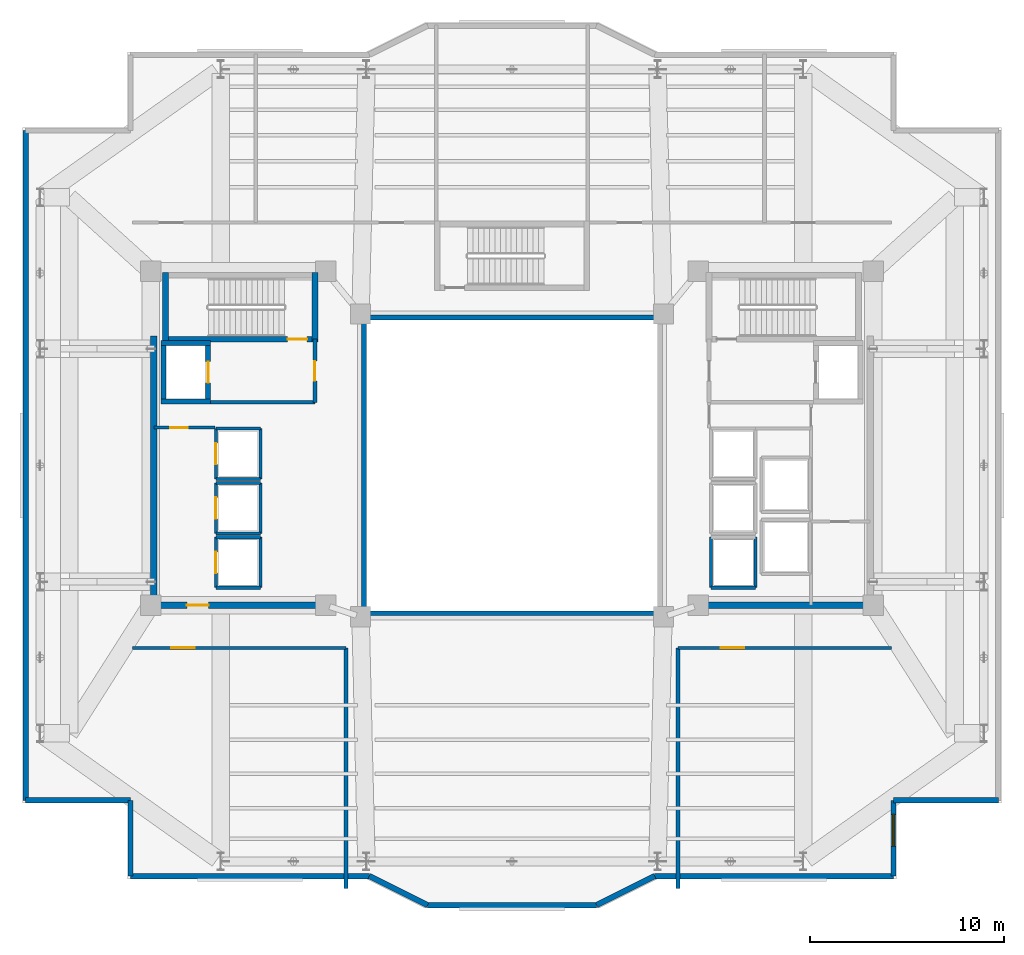
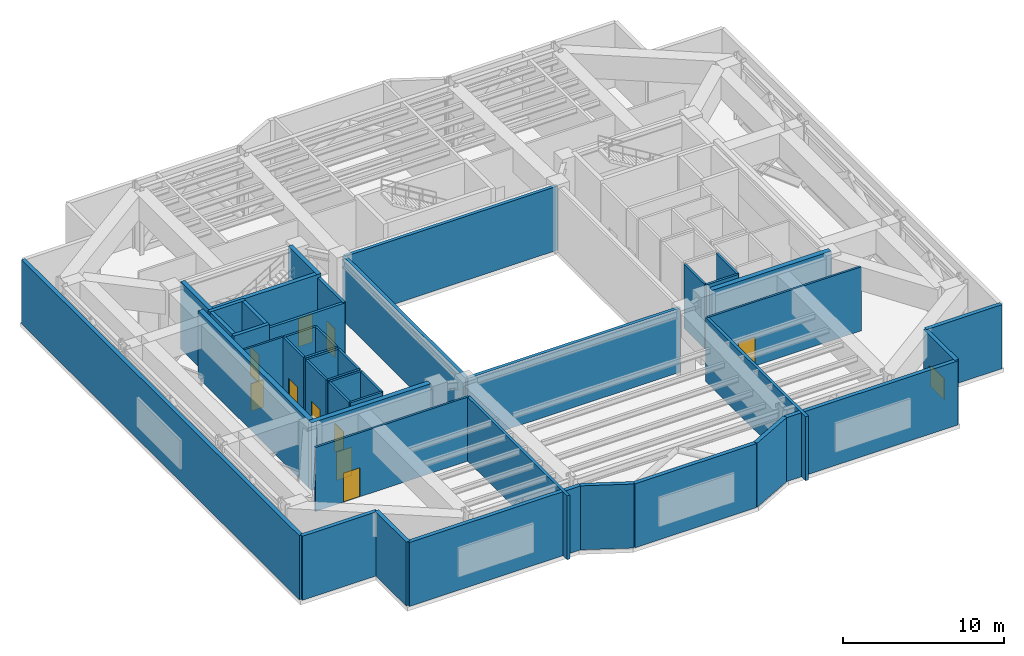
# One storey, part 8 of 13: 45 walls, 10 doors, 1 window, 11 openings.
"""IFC4 building model written with IfcOpenShell, lengths in metres."""

from ifc_helpers import new_model, si_unit, direction, frame, frame_2d, origin, place, context, subcontext, project, spatial, rectangle, extrude, material, layer, layer_set, type_object, element, fill, save


model = new_model("IFC4")

# Units and contexts
model_context = context("Model", 3, precision=1e-05, world=origin(), true_north=direction((0.0, 1.0)))
body_context = subcontext(model_context, "Body", "Model", "MODEL_VIEW")
ifc_project = project(units=[si_unit("LENGTHUNIT", "METRE"), si_unit("AREAUNIT", "SQUARE_METRE"), si_unit("VOLUMEUNIT", "CUBIC_METRE"), si_unit("PLANEANGLEUNIT", "RADIAN"), si_unit("MASSUNIT", "GRAM", prefix="KILO")], contexts=[model_context])

# Site, building, storey
site_placement = place(None, origin())
site = spatial("IfcSite", under=ifc_project, at=site_placement, CompositionType="ELEMENT")
building_placement = place(site_placement, origin())
building = spatial("IfcBuilding", under=site, at=building_placement, Name="Tarnavaz Court Tower", CompositionType="ELEMENT")
storey_placement = place(building_placement, frame((0.0, 0.0, 181.800048828125)))
storey = spatial("IfcBuildingStorey", under=building, at=storey_placement, Name="L49", CompositionType="ELEMENT", Elevation=181.800048828125)

# Wall
ifc_material_1 = material(Name="Concrete C50/60", Category="concrete")
ifc_layer_1 = layer(ifc_material_1, 0.25)
ifc_layer_set_1 = layer_set([ifc_layer_1], Name="Concrete C50/60")
wall_type_1 = type_object("IfcWallType", Name="WL-CORE-250-C50", PredefinedType="SHEAR", material=ifc_layer_set_1)
wall_1_placement = place(storey_placement, frame((-17.949951171875, 3.175048828125, 0.0), z_axis=(0.0, 0.0, 1.0), x_axis=(0.0, 1.0, 0.0)))
element("IfcWall", 1, at=wall_1_placement, inside=storey, type_object=wall_type_1, Name="L49 Lift FL-W1 Shaft Wall 017", PredefinedType="SHEAR", context=body_context, shape_type="SweptSolid", body=[
    extrude(rectangle(XDim=3.25, YDim=0.25, at=frame_2d((1.625, 0.0))), origin(), (0.0, 0.0, 1.0), 5.099853515625),
])

# Wall, opening, door
wall_2_placement = place(storey_placement, frame((-15.64990234375, 3.175048828125, 0.0), z_axis=(0.0, 0.0, 1.0), x_axis=(0.0, 1.0, 0.0)))
wall_2 = element("IfcWall", 2, at=wall_2_placement, inside=storey, type_object=wall_type_1, Name="L49 Lift FL-W1 Shaft Wall 018", PredefinedType="SHEAR", context=body_context, shape_type="SweptSolid", body=[
    extrude(rectangle(XDim=3.25, YDim=0.25, at=frame_2d((1.625, 0.0))), origin(), (0.0, 0.0, 1.0), 5.099853515625),
])
opening_1_placement = place(wall_2_placement, frame((1.074951171875, 0.0, 0.0)))
opening_1 = element("IfcOpeningElement", 3, at=opening_1_placement, cuts=wall_2, Name="Opening LD1", PredefinedType="OPENING", context=body_context, shape_type="SweptSolid", body=[
    extrude(rectangle(XDim=1.10009765625, YDim=2.14990234375, at=frame_2d((0.550048828125, 1.074951171875))), frame((0.0, 0.135009765625, 0.0), z_axis=(0.0, -1.0, 0.0), x_axis=(1.0, 0.0, 0.0)), (0.0, 0.0, 1.0), 0.27001953125),
])
ifc_material_2 = material(Name="Stainless Steel", Category="steel")
door_type_1 = type_object("IfcDoorType", Name="DR-LD-1100", OperationType="NOTDEFINED", PredefinedType="DOOR", material=ifc_material_2)
door_1_placement = place(opening_1_placement, origin())
door_1 = element("IfcDoor", 4, at=door_1_placement, inside=storey, type_object=door_type_1, Name="L49 Lift Landing Door LD-FL-W1", OperationType="SLIDING_TO_LEFT", OverallHeight=2.14990234375, OverallWidth=1.10009765625, PredefinedType="DOOR", context=body_context, shape_type="SweptSolid", body=[
    extrude(rectangle(XDim=1.10009765625, YDim=2.14990234375, at=frame_2d((0.550048828125, 1.074951171875))), frame((0.0, 0.02490234375, 0.0), z_axis=(0.0, -1.0, 0.0), x_axis=(1.0, 0.0, 0.0)), (0.0, 0.0, 1.0), 0.050048828125),
])
fill(opening_1, door_1)

# Walls
for number, where, z_axis, x_axis, name in (
    (5, (-18.074951171875, 3.300048828125, 0.0), (0.0, 0.0, 1.0), (1.0, 0.0, 0.0), "L49 Lift FL-W1 Shaft Wall 019"),
    (6, (-18.074951171875, 6.300048828125, 0.0), (0.0, 0.0, 1.0), (1.0, 0.0, 0.0), "L49 Lift FL-W1 Shaft Wall 020"),
):
    element("IfcWall", number, at=place(storey_placement, frame(where, z_axis=z_axis, x_axis=x_axis)), inside=storey, type_object=wall_type_1, Name=name, PredefinedType="SHEAR", context=body_context, shape_type="SweptSolid", body=[
        extrude(rectangle(XDim=2.550048828125, YDim=0.25, at=frame_2d((1.27490234375, 0.0))), origin(), (0.0, 0.0, 1.0), 5.099853515625),
    ])

# Wall, opening, door
ifc_layer_2 = layer(ifc_material_1, 0.300048828125)
ifc_layer_set_2 = layer_set([ifc_layer_2], Name="Concrete C50/60")
wall_type_2 = type_object("IfcWallType", Name="WL-CORE-300-C50", PredefinedType="SHEAR", material=ifc_layer_set_2)
wall_3_placement = place(storey_placement, frame((-18.0, 6.5, 0.0), z_axis=(0.0, 0.0, 1.0), x_axis=(1.0, 0.0, 0.0)))
wall_3 = element("IfcWall", 7, at=wall_3_placement, inside=storey, type_object=wall_type_2, Name="L49 West Stair Core Wall 002", PredefinedType="SHEAR", context=body_context, shape_type="SweptSolid", body=[
    extrude(rectangle(XDim=8.0, YDim=0.300048828125, at=frame_2d((4.0, 0.0))), origin(), (0.0, 0.0, 1.0), 5.099853515625),
])
opening_2_placement = place(wall_3_placement, frame((6.449951171875, 0.0, 0.0)))
opening_2 = element("IfcOpeningElement", 8, at=opening_2_placement, cuts=wall_3, Name="Opening D01", PredefinedType="OPENING", context=body_context, shape_type="SweptSolid", body=[
    extrude(rectangle(XDim=1.0, YDim=2.14990234375, at=frame_2d((0.5, 1.074951171875))), frame((0.0, 0.159912109375, 0.0), z_axis=(0.0, -1.0, 0.0), x_axis=(1.0, 0.0, 0.0)), (0.0, 0.0, 1.0), 0.320068359375),
])
ifc_material_3 = material(Name="Fire-Rated Hardwood Timber Core", Category="wood")
door_type_2 = type_object("IfcDoorType", Name="DR-FD90-1000", OperationType="NOTDEFINED", PredefinedType="DOOR", material=ifc_material_3)
door_2_placement = place(opening_2_placement, origin())
door_2 = element("IfcDoor", 9, at=door_2_placement, inside=storey, type_object=door_type_2, Name="L49 Stair ST-W1 Exit Door", OperationType="SINGLE_SWING_LEFT", OverallHeight=2.14990234375, OverallWidth=1.0, PredefinedType="DOOR", context=body_context, shape_type="SweptSolid", body=[
    extrude(rectangle(XDim=1.0, YDim=2.14990234375, at=frame_2d((0.5, 1.074951171875))), frame((0.0, 0.02490234375, 0.0), z_axis=(0.0, -1.0, 0.0), x_axis=(1.0, 0.0, 0.0)), (0.0, 0.0, 1.0), 0.050048828125),
])
fill(opening_2, door_2)

# Walls
for number, where, z_axis, x_axis, name in (
    (10, (-17.85009765625, 6.35009765625, 0.0), (0.0, 0.0, 1.0), (0.0, 1.0, 0.0), "L49 West Stair Core Wall 003"),
    (11, (-10.14990234375, 6.35009765625, 0.0), (0.0, 0.0, 1.0), (0.0, 1.0, 0.0), "L49 West Stair Core Wall 004"),
):
    element("IfcWall", number, at=place(storey_placement, frame(where, z_axis=z_axis, x_axis=x_axis)), inside=storey, type_object=wall_type_2, Name=name, PredefinedType="SHEAR", context=body_context, shape_type="SweptSolid", body=[
        extrude(rectangle(XDim=3.58984375, YDim=0.300048828125, at=frame_2d((1.794921875, 0.0))), origin(), (0.0, 0.0, 1.0), 5.099853515625),
    ])
ifc_layer_3 = layer(ifc_material_1, 0.35009765625)
ifc_layer_set_3 = layer_set([ifc_layer_3], Name="Concrete C50/60")
wall_type_3 = type_object("IfcWallType", Name="WL-CORE-350-C50", PredefinedType="SHEAR", material=ifc_layer_set_3)
wall_4_placement = place(storey_placement, frame((-18.449951171875, -7.375, 0.0), z_axis=(0.0, 0.0, 1.0), x_axis=(0.0, 1.0, 0.0)))
element("IfcWall", 12, at=wall_4_placement, inside=storey, type_object=wall_type_3, Name="L49 West Core Shear Wall 057", PredefinedType="SHEAR", context=body_context, shape_type="SweptSolid", body=[
    extrude(rectangle(XDim=14.050048828125, YDim=0.35009765625, at=frame_2d((7.02490234375, 0.0))), origin(), (0.0, 0.0, 1.0), 5.099853515625),
])

# Wall, opening, door
wall_5_placement = place(storey_placement, frame((-18.625, -7.199951171875, 0.0), z_axis=(0.0, 0.0, 1.0), x_axis=(1.0, 0.0, 0.0)))
wall_5 = element("IfcWall", 13, at=wall_5_placement, inside=storey, type_object=wall_type_3, Name="L49 West Core South Shear Wall 058", PredefinedType="SHEAR", context=body_context, shape_type="SweptSolid", body=[
    extrude(rectangle(XDim=8.550048828125, YDim=0.35009765625, at=frame_2d((4.27490234375, 0.0))), origin(), (0.0, 0.0, 1.0), 5.099853515625),
])
opening_3_placement = place(wall_5_placement, frame((1.875, 0.0, 0.0)))
opening_3 = element("IfcOpeningElement", 14, at=opening_3_placement, cuts=wall_5, Name="Opening D04", PredefinedType="OPENING", context=body_context, shape_type="SweptSolid", body=[
    extrude(rectangle(XDim=1.1201171875, YDim=2.14990234375, at=frame_2d((0.56005859375, 1.074951171875))), frame((0.0, 0.18505859375, 0.0), z_axis=(0.0, -1.0, 0.0), x_axis=(1.0, 0.0, 0.0)), (0.0, 0.0, 1.0), 0.3701171875),
])
door_type_3 = type_object("IfcDoorType", Name="DR-FD60-1100", OperationType="NOTDEFINED", PredefinedType="DOOR", material=ifc_material_3)
door_3_placement = place(opening_3_placement, origin())
door_3 = element("IfcDoor", 15, at=door_3_placement, inside=storey, type_object=door_type_3, Name="L49 West High-Rise Lift Lobby Door", OperationType="SINGLE_SWING_LEFT", OverallHeight=2.14990234375, OverallWidth=1.1201171875, PredefinedType="DOOR", context=body_context, shape_type="SweptSolid", body=[
    extrude(rectangle(XDim=1.1201171875, YDim=2.14990234375, at=frame_2d((0.56005859375, 1.074951171875))), frame((0.0, 0.02490234375, 0.0), z_axis=(0.0, -1.0, 0.0), x_axis=(1.0, 0.0, 0.0)), (0.0, 0.0, 1.0), 0.050048828125),
])
fill(opening_3, door_3)

# Walls
wall_6_placement = place(storey_placement, frame((10.074951171875, -7.199951171875, 0.0), z_axis=(0.0, 0.0, 1.0), x_axis=(1.0, 0.0, 0.0)))
element("IfcWall", 16, at=wall_6_placement, inside=storey, type_object=wall_type_3, Name="L49 East Core South Shear Wall 060", PredefinedType="SHEAR", context=body_context, shape_type="SweptSolid", body=[
    extrude(rectangle(XDim=8.550048828125, YDim=0.35009765625, at=frame_2d((4.27490234375, 0.0))), origin(), (0.0, 0.0, 1.0), 5.099853515625),
])
ifc_material_4 = material(Name="Precast Concrete C40/50", Category="concrete")
ifc_layer_4 = layer(ifc_material_4, 0.280029296875)
ifc_layer_set_4 = layer_set([ifc_layer_4], Name="Precast Concrete C40/50")
wall_type_4 = type_object("IfcWallType", Name="WL-EXT-280", PredefinedType="SOLIDWALL", material=ifc_layer_set_4)
wall_7_placement = place(storey_placement, frame((-19.64990234375, -17.25, 0.0), z_axis=(0.0, 0.0, 1.0), x_axis=(-1.0, 0.0, 0.0)))
element("IfcWall", 17, at=wall_7_placement, inside=storey, type_object=wall_type_4, Name="L49 Exterior Terracotta Facade Wall 01", PredefinedType="SOLIDWALL", context=body_context, shape_type="SweptSolid", body=[
    extrude(rectangle(XDim=5.400146484375, YDim=0.280029296875, at=frame_2d((2.7001953125, 0.0))), origin(), (0.0, 0.0, 1.0), 4.849853515625),
])
wall_8_placement = place(storey_placement, frame((-25.050048828125, -17.25, 0.0), z_axis=(0.0, 0.0, 1.0), x_axis=(0.0, 1.0, 0.0)))
element("IfcWall", 18, at=wall_8_placement, inside=storey, type_object=wall_type_4, Name="L49 Exterior Terracotta Facade Wall 02", PredefinedType="SOLIDWALL", context=body_context, shape_type="SweptSolid", body=[
    extrude(rectangle(XDim=34.5, YDim=0.280029296875, at=frame_2d((17.25, 0.0))), origin(), (0.0, 0.0, 1.0), 4.849853515625),
])
wall_9_placement = place(storey_placement, frame((25.050048828125, -17.25, 0.0), z_axis=(0.0, 0.0, 1.0), x_axis=(-1.0, 0.0, 0.0)))
element("IfcWall", 19, at=wall_9_placement, inside=storey, type_object=wall_type_4, Name="L49 Exterior Terracotta Facade Wall 13", PredefinedType="SOLIDWALL", context=body_context, shape_type="SweptSolid", body=[
    extrude(rectangle(XDim=5.400146484375, YDim=0.280029296875, at=frame_2d((2.7001953125, 0.0))), origin(), (0.0, 0.0, 1.0), 4.849853515625),
])

# Wall, opening, window
wall_10_placement = place(storey_placement, frame((19.64990234375, -17.25, 0.0), z_axis=(0.0, 0.0, 1.0), x_axis=(0.0, -1.0, 0.0)))
wall_10 = element("IfcWall", 20, at=wall_10_placement, inside=storey, type_object=wall_type_4, Name="L49 Exterior Terracotta Facade Wall 14", PredefinedType="SOLIDWALL", context=body_context, shape_type="SweptSolid", body=[
    extrude(rectangle(XDim=3.89990234375, YDim=0.280029296875, at=frame_2d((1.949951171875, 0.0))), origin(), (0.0, 0.0, 1.0), 4.849853515625),
])
opening_4_placement = place(wall_10_placement, frame((0.7197265625, 0.0, 0.89990234375)))
opening_4 = element("IfcOpeningElement", 21, at=opening_4_placement, cuts=wall_10, Name="Opening W02", PredefinedType="OPENING", context=body_context, shape_type="SweptSolid", body=[
    extrude(rectangle(XDim=1.64990234375, YDim=1.60009765625, at=frame_2d((0.824951171875, 0.800048828125))), frame((0.0, 0.14990234375, 0.0), z_axis=(0.0, -1.0, 0.0), x_axis=(1.0, 0.0, 0.0)), (0.0, 0.0, 1.0), 0.300048828125),
])
ifc_material_5 = material(Name="Double-Glazed Solar Low-E Glass", Category="glass")
window_type = type_object("IfcWindowType", Name="WN-APT-1650", PartitioningType="DOUBLE_PANEL_VERTICAL", PredefinedType="WINDOW", material=ifc_material_5)
window_placement = place(opening_4_placement, origin())
window = element("IfcWindow", 22, at=window_placement, inside=storey, type_object=window_type, Name="L49 South Protected Refuge Holding Area Window", OverallHeight=1.60009765625, OverallWidth=1.64990234375, PartitioningType="SINGLE_PANEL", PredefinedType="WINDOW", context=body_context, shape_type="SweptSolid", body=[
    extrude(rectangle(XDim=1.64990234375, YDim=1.60009765625, at=frame_2d((0.824951171875, 0.800048828125))), frame((0.0, 0.030029296875, 0.0), z_axis=(0.0, -1.0, 0.0), x_axis=(1.0, 0.0, 0.0)), (0.0, 0.0, 1.0), 0.06005859375),
])
fill(opening_4, window)

# Walls
wall_11_placement = place(storey_placement, frame((19.64990234375, -21.14990234375, 0.0), z_axis=(0.0, 0.0, 1.0), x_axis=(-1.0, 0.0, 0.0)))
element("IfcWall", 23, at=wall_11_placement, inside=storey, type_object=wall_type_4, Name="L49 Exterior Terracotta Facade Wall 15", PredefinedType="SOLIDWALL", context=body_context, shape_type="SweptSolid", body=[
    extrude(rectangle(XDim=12.2998046875, YDim=0.280029296875, at=frame_2d((6.14990234375, 0.0))), origin(), (0.0, 0.0, 1.0), 4.849853515625),
])
wall_12_placement = place(storey_placement, frame((7.35009765625, -21.14990234375, 0.0), z_axis=(0.0, 0.0, 1.0), x_axis=(-0.894427191, -0.4472135955, 0.0)))
element("IfcWall", 24, at=wall_12_placement, inside=storey, type_object=wall_type_4, Name="L49 Exterior Terracotta Facade Wall 16", PredefinedType="SOLIDWALL", context=body_context, shape_type="SweptSolid", body=[
    extrude(rectangle(XDim=3.35400390625, YDim=0.280029296875, at=frame_2d((1.677001953125, 0.0))), origin(), (0.0, 0.0, 1.0), 4.849853515625),
])
wall_13_placement = place(storey_placement, frame((4.35009765625, -22.64990234375, 0.0), z_axis=(0.0, 0.0, 1.0), x_axis=(-1.0, 0.0, 0.0)))
element("IfcWall", 25, at=wall_13_placement, inside=storey, type_object=wall_type_4, Name="L49 Exterior Terracotta Facade Wall 17", PredefinedType="SOLIDWALL", context=body_context, shape_type="SweptSolid", body=[
    extrude(rectangle(XDim=8.7001953125, YDim=0.280029296875, at=frame_2d((4.35009765625, 0.0))), origin(), (0.0, 0.0, 1.0), 4.849853515625),
])
wall_14_placement = place(storey_placement, frame((-4.35009765625, -22.64990234375, 0.0), z_axis=(0.0, 0.0, 1.0), x_axis=(-0.894427191, 0.4472135955, 0.0)))
element("IfcWall", 26, at=wall_14_placement, inside=storey, type_object=wall_type_4, Name="L49 Exterior Terracotta Facade Wall 18", PredefinedType="SOLIDWALL", context=body_context, shape_type="SweptSolid", body=[
    extrude(rectangle(XDim=3.35400390625, YDim=0.280029296875, at=frame_2d((1.677001953125, 0.0))), origin(), (0.0, 0.0, 1.0), 4.849853515625),
])
wall_15_placement = place(storey_placement, frame((-7.35009765625, -21.14990234375, 0.0), z_axis=(0.0, 0.0, 1.0), x_axis=(-1.0, 0.0, 0.0)))
element("IfcWall", 27, at=wall_15_placement, inside=storey, type_object=wall_type_4, Name="L49 Exterior Terracotta Facade Wall 19", PredefinedType="SOLIDWALL", context=body_context, shape_type="SweptSolid", body=[
    extrude(rectangle(XDim=12.2998046875, YDim=0.280029296875, at=frame_2d((6.14990234375, 0.0))), origin(), (0.0, 0.0, 1.0), 4.849853515625),
])
wall_16_placement = place(storey_placement, frame((-19.64990234375, -21.14990234375, 0.0), z_axis=(0.0, 0.0, 1.0), x_axis=(0.0, 1.0, 0.0)))
element("IfcWall", 28, at=wall_16_placement, inside=storey, type_object=wall_type_4, Name="L49 Exterior Terracotta Facade Wall 20", PredefinedType="SOLIDWALL", context=body_context, shape_type="SweptSolid", body=[
    extrude(rectangle(XDim=3.89990234375, YDim=0.280029296875, at=frame_2d((1.949951171875, 0.0))), origin(), (0.0, 0.0, 1.0), 4.849853515625),
])

# Wall, opening, door
ifc_material_6 = material(Name="Gypsum Fire-Board on Acoustic Metal Stud", Category="masonry")
ifc_layer_5 = layer(ifc_material_6, 0.14990234375)
ifc_layer_set_5 = layer_set([ifc_layer_5], Name="Gypsum Fire-Board on Acoustic Metal Stud")
wall_type_5 = type_object("IfcWallType", Name="WL-FIRE-150", PredefinedType="PARTITIONING", material=ifc_layer_set_5)
wall_17_placement = place(storey_placement, frame((-19.550048828125, -9.39990234375, 0.0), z_axis=(0.0, 0.0, 1.0), x_axis=(1.0, 0.0, 0.0)))
wall_17 = element("IfcWall", 29, at=wall_17_placement, inside=storey, type_object=wall_type_5, Name="L49 SW Lobby Wall 068", PredefinedType="PARTITIONING", context=body_context, shape_type="SweptSolid", body=[
    extrude(rectangle(XDim=11.0, YDim=0.14990234375, at=frame_2d((5.5, 0.0))), origin(), (0.0, 0.0, 1.0), 4.849853515625),
])
opening_5_placement = place(wall_17_placement, frame((2.0, 0.0, 0.0)))
opening_5 = element("IfcOpeningElement", 30, at=opening_5_placement, cuts=wall_17, Name="Opening D03", PredefinedType="OPENING", context=body_context, shape_type="SweptSolid", body=[
    extrude(rectangle(XDim=1.199951171875, YDim=2.199951171875, at=frame_2d((0.60009765625, 1.10009765625))), frame((0.0, 0.0849609375, 0.0), z_axis=(0.0, -1.0, 0.0), x_axis=(1.0, 0.0, 0.0)), (0.0, 0.0, 1.0), 0.169921875),
])
door_type_4 = type_object("IfcDoorType", Name="DR-FD90-1200", OperationType="NOTDEFINED", PredefinedType="DOOR", material=ifc_material_3)
door_4_placement = place(opening_5_placement, origin())
door_4 = element("IfcDoor", 31, at=door_4_placement, inside=storey, type_object=door_type_4, Name="L49 Electrical Switchgear Plant Door", OperationType="SINGLE_SWING_RIGHT", OverallHeight=2.199951171875, OverallWidth=1.199951171875, PredefinedType="DOOR", context=body_context, shape_type="SweptSolid", body=[
    extrude(rectangle(XDim=1.199951171875, YDim=2.199951171875, at=frame_2d((0.60009765625, 1.10009765625))), frame((0.0, 0.02490234375, 0.0), z_axis=(0.0, -1.0, 0.0), x_axis=(1.0, 0.0, 0.0)), (0.0, 0.0, 1.0), 0.050048828125),
])
fill(opening_5, door_4)

wall_18_placement = place(storey_placement, frame((8.550048828125, -9.39990234375, 0.0), z_axis=(0.0, 0.0, 1.0), x_axis=(1.0, 0.0, 0.0)))
wall_18 = element("IfcWall", 32, at=wall_18_placement, inside=storey, type_object=wall_type_5, Name="L49 SE Lobby Wall 069", PredefinedType="PARTITIONING", context=body_context, shape_type="SweptSolid", body=[
    extrude(rectangle(XDim=11.0, YDim=0.14990234375, at=frame_2d((5.5, 0.0))), origin(), (0.0, 0.0, 1.0), 4.849853515625),
])
opening_6_placement = place(wall_18_placement, frame((2.199951171875, 0.0, 0.0)))
opening_6 = element("IfcOpeningElement", 33, at=opening_6_placement, cuts=wall_18, Name="Opening D03", PredefinedType="OPENING", context=body_context, shape_type="SweptSolid", body=[
    extrude(rectangle(XDim=1.199951171875, YDim=2.199951171875, at=frame_2d((0.60009765625, 1.10009765625))), frame((0.0, 0.0849609375, 0.0), z_axis=(0.0, -1.0, 0.0), x_axis=(1.0, 0.0, 0.0)), (0.0, 0.0, 1.0), 0.169921875),
])
door_5_placement = place(opening_6_placement, origin())
door_5 = element("IfcDoor", 34, at=door_5_placement, inside=storey, type_object=door_type_4, Name="L49 South Refuge Area Door", OperationType="SINGLE_SWING_LEFT", OverallHeight=2.199951171875, OverallWidth=1.199951171875, PredefinedType="DOOR", context=body_context, shape_type="SweptSolid", body=[
    extrude(rectangle(XDim=1.199951171875, YDim=2.199951171875, at=frame_2d((0.60009765625, 1.10009765625))), frame((0.0, 0.02490234375, 0.0), z_axis=(0.0, -1.0, 0.0), x_axis=(1.0, 0.0, 0.0)), (0.0, 0.0, 1.0), 0.050048828125),
])
fill(opening_6, door_5)

# Wall
ifc_material_7 = material(Name="Autoclaved Aerated Concrete Blockwork", Category="masonry")
ifc_layer_6 = layer(ifc_material_7, 0.199951171875)
ifc_layer_set_6 = layer_set([ifc_layer_6], Name="Autoclaved Aerated Concrete Blockwork")
wall_type_6 = type_object("IfcWallType", Name="WL-FIRE-200", PredefinedType="SOLIDWALL", material=ifc_layer_set_6)
wall_19_placement = place(storey_placement, frame((-15.550048828125, 3.25, 0.0), z_axis=(0.0, 0.0, 1.0), x_axis=(1.0, 0.0, 0.0)))
element("IfcWall", 35, at=wall_19_placement, inside=storey, type_object=wall_type_6, Name="L49 West Firefighting Lobby Wall 013", PredefinedType="SOLIDWALL", context=body_context, shape_type="SweptSolid", body=[
    extrude(rectangle(XDim=5.400146484375, YDim=0.199951171875, at=frame_2d((2.7001953125, 0.0))), origin(), (0.0, 0.0, 1.0), 4.849853515625),
])

# Wall, opening, door
wall_20_placement = place(storey_placement, frame((-10.14990234375, 3.25, 0.0), z_axis=(0.0, 0.0, 1.0), x_axis=(0.0, 1.0, 0.0)))
wall_20 = element("IfcWall", 36, at=wall_20_placement, inside=storey, type_object=wall_type_6, Name="L49 West Firefighting Lobby Wall 014", PredefinedType="SOLIDWALL", context=body_context, shape_type="SweptSolid", body=[
    extrude(rectangle(XDim=3.25, YDim=0.199951171875, at=frame_2d((1.625, 0.0))), origin(), (0.0, 0.0, 1.0), 4.849853515625),
])
opening_7_placement = place(wall_20_placement, frame((1.10009765625, 0.0, 0.0)))
opening_7 = element("IfcOpeningElement", 37, at=opening_7_placement, cuts=wall_20, Name="Opening D05", PredefinedType="OPENING", context=body_context, shape_type="SweptSolid", body=[
    extrude(rectangle(XDim=1.02001953125, YDim=2.14990234375, at=frame_2d((0.510009765625, 1.074951171875))), frame((0.0, 0.10986328125, 0.0), z_axis=(0.0, -1.0, 0.0), x_axis=(1.0, 0.0, 0.0)), (0.0, 0.0, 1.0), 0.219970703125),
])
door_type_5 = type_object("IfcDoorType", Name="DR-FD60-1000", OperationType="NOTDEFINED", PredefinedType="DOOR", material=ifc_material_3)
door_6_placement = place(opening_7_placement, origin())
door_6 = element("IfcDoor", 38, at=door_6_placement, inside=storey, type_object=door_type_5, Name="L49 West Firefighting Lobby Door", OperationType="SINGLE_SWING_RIGHT", OverallHeight=2.14990234375, OverallWidth=1.02001953125, PredefinedType="DOOR", context=body_context, shape_type="SweptSolid", body=[
    extrude(rectangle(XDim=1.02001953125, YDim=2.14990234375, at=frame_2d((0.510009765625, 1.074951171875))), frame((0.0, 0.02490234375, 0.0), z_axis=(0.0, -1.0, 0.0), x_axis=(1.0, 0.0, 0.0)), (0.0, 0.0, 1.0), 0.050048828125),
])
fill(opening_7, door_6)

# Walls
for number, where, z_axis, x_axis, name in (
    (39, (-8.550048828125, -21.803955078125, 0.0), (0.0, 0.0, 1.0), (0.0, 1.0, 0.0), "L49 Interior Partition 074"),
    (40, (8.550048828125, -21.803955078125, 0.0), (0.0, 0.0, 1.0), (0.0, 1.0, 0.0), "L49 Interior Partition 075"),
):
    element("IfcWall", number, at=place(storey_placement, frame(where, z_axis=z_axis, x_axis=x_axis)), inside=storey, type_object=wall_type_6, Name=name, PredefinedType="SOLIDWALL", context=body_context, shape_type="SweptSolid", body=[
        extrude(rectangle(XDim=12.404052734375, YDim=0.199951171875, at=frame_2d((6.2021484375, 0.0))), origin(), (0.0, 0.0, 1.0), 4.849853515625),
    ])

# Wall, opening, door
ifc_material_8 = material(Name="Gypsum Plasterboard Acoustic Partition", Category="masonry")
ifc_layer_7 = layer(ifc_material_8, 0.139892578125)
ifc_layer_set_7 = layer_set([ifc_layer_7], Name="Gypsum Plasterboard Acoustic Partition")
wall_type_7 = type_object("IfcWallType", Name="WL-PART-150", PredefinedType="PARTITIONING", material=ifc_layer_set_7)
wall_21_placement = place(storey_placement, frame((-18.449951171875, 1.949951171875, 0.0), z_axis=(0.0, 0.0, 1.0), x_axis=(1.0, 0.0, 0.0)))
wall_21 = element("IfcWall", 41, at=wall_21_placement, inside=storey, type_object=wall_type_7, Name="L49 Interior Partition 061", PredefinedType="PARTITIONING", context=body_context, shape_type="SweptSolid", body=[
    extrude(rectangle(XDim=3.14990234375, YDim=0.139892578125, at=frame_2d((1.574951171875, 0.0))), origin(), (0.0, 0.0, 1.0), 4.849853515625),
])
opening_8_placement = place(wall_21_placement, frame((0.85009765625, 0.0, 0.0)))
opening_8 = element("IfcOpeningElement", 42, at=opening_8_placement, cuts=wall_21, Name="Opening D09", PredefinedType="OPENING", context=body_context, shape_type="SweptSolid", body=[
    extrude(rectangle(XDim=0.89990234375, YDim=2.080078125, at=frame_2d((0.449951171875, 1.0400390625))), frame((0.0, 0.079833984375, 0.0), z_axis=(0.0, -1.0, 0.0), x_axis=(1.0, 0.0, 0.0)), (0.0, 0.0, 1.0), 0.159912109375),
])
door_type_6 = type_object("IfcDoorType", Name="DR-FD30-900", OperationType="NOTDEFINED", PredefinedType="DOOR", material=ifc_material_3)
door_7_placement = place(opening_8_placement, origin())
door_7 = element("IfcDoor", 43, at=door_7_placement, inside=storey, type_object=door_type_6, Name="L49 West Sky Store Door", OperationType="SINGLE_SWING_RIGHT", OverallHeight=2.080078125, OverallWidth=0.89990234375, PredefinedType="DOOR", context=body_context, shape_type="SweptSolid", body=[
    extrude(rectangle(XDim=0.89990234375, YDim=2.080078125, at=frame_2d((0.449951171875, 1.0400390625))), frame((0.0, 0.02490234375, 0.0), z_axis=(0.0, -1.0, 0.0), x_axis=(1.0, 0.0, 0.0)), (0.0, 0.0, 1.0), 0.050048828125),
])
fill(opening_8, door_7)

ifc_layer_8 = layer(ifc_material_7, 0.159912109375)
ifc_layer_set_8 = layer_set([ifc_layer_8], Name="Autoclaved Aerated Concrete Blockwork")
wall_type_8 = type_object("IfcWallType", Name="WL-SHAFT-150", PredefinedType="SOLIDWALL", material=ifc_layer_set_8)
wall_22_placement = place(storey_placement, frame((-15.25, -6.300048828125, 0.0), z_axis=(0.0, 0.0, 1.0), x_axis=(0.0, 1.0, 0.0)))
wall_22 = element("IfcWall", 44, at=wall_22_placement, inside=storey, type_object=wall_type_8, Name="L49 Lift PL-H1 Shaft Wall 021", PredefinedType="SOLIDWALL", context=body_context, shape_type="SweptSolid", body=[
    extrude(rectangle(XDim=2.60009765625, YDim=0.159912109375, at=frame_2d((1.300048828125, 0.0))), origin(), (0.0, 0.0, 1.0), 4.849853515625),
])
opening_9_placement = place(wall_22_placement, frame((0.75, 0.0, 0.0)))
opening_9 = element("IfcOpeningElement", 45, at=opening_9_placement, cuts=wall_22, Name="Opening LD1", PredefinedType="OPENING", context=body_context, shape_type="SweptSolid", body=[
    extrude(rectangle(XDim=1.10009765625, YDim=2.14990234375, at=frame_2d((0.550048828125, 1.074951171875))), frame((0.0, 0.08984375, 0.0), z_axis=(0.0, -1.0, 0.0), x_axis=(1.0, 0.0, 0.0)), (0.0, 0.0, 1.0), 0.179931640625),
])
door_8_placement = place(opening_9_placement, origin())
door_8 = element("IfcDoor", 46, at=door_8_placement, inside=storey, type_object=door_type_1, Name="L49 Lift Landing Door LD-PL-H1", OperationType="SLIDING_TO_LEFT", OverallHeight=2.14990234375, OverallWidth=1.10009765625, PredefinedType="DOOR", context=body_context, shape_type="SweptSolid", body=[
    extrude(rectangle(XDim=1.10009765625, YDim=2.14990234375, at=frame_2d((0.550048828125, 1.074951171875))), frame((0.0, 0.02490234375, 0.0), z_axis=(0.0, -1.0, 0.0), x_axis=(1.0, 0.0, 0.0)), (0.0, 0.0, 1.0), 0.050048828125),
])
fill(opening_9, door_8)

# Walls
wall_23_placement = place(storey_placement, frame((-12.949951171875, -6.300048828125, 0.0), z_axis=(0.0, 0.0, 1.0), x_axis=(0.0, 1.0, 0.0)))
element("IfcWall", 47, at=wall_23_placement, inside=storey, type_object=wall_type_8, Name="L49 Lift PL-H1 Shaft Wall 022", PredefinedType="SOLIDWALL", context=body_context, shape_type="SweptSolid", body=[
    extrude(rectangle(XDim=2.60009765625, YDim=0.159912109375, at=frame_2d((1.300048828125, 0.0))), origin(), (0.0, 0.0, 1.0), 4.849853515625),
])
for number, where, z_axis, x_axis, name in (
    (48, (-15.25, -6.300048828125, 0.0), (0.0, 0.0, 1.0), (1.0, 0.0, 0.0), "L49 Lift PL-H1 Shaft Wall 023"),
    (49, (-15.25, -3.699951171875, 0.0), (0.0, 0.0, 1.0), (1.0, 0.0, 0.0), "L49 Lift PL-H1 Shaft Wall 024"),
):
    element("IfcWall", number, at=place(storey_placement, frame(where, z_axis=z_axis, x_axis=x_axis)), inside=storey, type_object=wall_type_8, Name=name, PredefinedType="SOLIDWALL", context=body_context, shape_type="SweptSolid", body=[
        extrude(rectangle(XDim=2.300048828125, YDim=0.159912109375, at=frame_2d((1.14990234375, 0.0))), origin(), (0.0, 0.0, 1.0), 4.849853515625),
    ])

# Wall, opening, door
wall_24_placement = place(storey_placement, frame((-15.25, -3.5, 0.0), z_axis=(0.0, 0.0, 1.0), x_axis=(0.0, 1.0, 0.0)))
wall_24 = element("IfcWall", 50, at=wall_24_placement, inside=storey, type_object=wall_type_8, Name="L49 Lift PL-H2 Shaft Wall 025", PredefinedType="SOLIDWALL", context=body_context, shape_type="SweptSolid", body=[
    extrude(rectangle(XDim=2.60009765625, YDim=0.159912109375, at=frame_2d((1.300048828125, 0.0))), origin(), (0.0, 0.0, 1.0), 4.849853515625),
])
opening_10_placement = place(wall_24_placement, frame((0.75, 0.0, 0.0)))
opening_10 = element("IfcOpeningElement", 51, at=opening_10_placement, cuts=wall_24, Name="Opening LD1", PredefinedType="OPENING", context=body_context, shape_type="SweptSolid", body=[
    extrude(rectangle(XDim=1.10009765625, YDim=2.14990234375, at=frame_2d((0.550048828125, 1.074951171875))), frame((0.0, 0.08984375, 0.0), z_axis=(0.0, -1.0, 0.0), x_axis=(1.0, 0.0, 0.0)), (0.0, 0.0, 1.0), 0.179931640625),
])
door_9_placement = place(opening_10_placement, origin())
door_9 = element("IfcDoor", 52, at=door_9_placement, inside=storey, type_object=door_type_1, Name="L49 Lift Landing Door LD-PL-H2", OperationType="SLIDING_TO_LEFT", OverallHeight=2.14990234375, OverallWidth=1.10009765625, PredefinedType="DOOR", context=body_context, shape_type="SweptSolid", body=[
    extrude(rectangle(XDim=1.10009765625, YDim=2.14990234375, at=frame_2d((0.550048828125, 1.074951171875))), frame((0.0, 0.02490234375, 0.0), z_axis=(0.0, -1.0, 0.0), x_axis=(1.0, 0.0, 0.0)), (0.0, 0.0, 1.0), 0.050048828125),
])
fill(opening_10, door_9)

# Walls
wall_25_placement = place(storey_placement, frame((-12.949951171875, -3.5, 0.0), z_axis=(0.0, 0.0, 1.0), x_axis=(0.0, 1.0, 0.0)))
element("IfcWall", 53, at=wall_25_placement, inside=storey, type_object=wall_type_8, Name="L49 Lift PL-H2 Shaft Wall 026", PredefinedType="SOLIDWALL", context=body_context, shape_type="SweptSolid", body=[
    extrude(rectangle(XDim=2.60009765625, YDim=0.159912109375, at=frame_2d((1.300048828125, 0.0))), origin(), (0.0, 0.0, 1.0), 4.849853515625),
])
for number, where, z_axis, x_axis, name in (
    (54, (-15.25, -3.5, 0.0), (0.0, 0.0, 1.0), (1.0, 0.0, 0.0), "L49 Lift PL-H2 Shaft Wall 027"),
    (55, (-15.25, -0.89990234375, 0.0), (0.0, 0.0, 1.0), (1.0, 0.0, 0.0), "L49 Lift PL-H2 Shaft Wall 028"),
):
    element("IfcWall", number, at=place(storey_placement, frame(where, z_axis=z_axis, x_axis=x_axis)), inside=storey, type_object=wall_type_8, Name=name, PredefinedType="SOLIDWALL", context=body_context, shape_type="SweptSolid", body=[
        extrude(rectangle(XDim=2.300048828125, YDim=0.159912109375, at=frame_2d((1.14990234375, 0.0))), origin(), (0.0, 0.0, 1.0), 4.849853515625),
    ])

# Wall, opening, door
wall_26_placement = place(storey_placement, frame((-15.25, -0.699951171875, 0.0), z_axis=(0.0, 0.0, 1.0), x_axis=(0.0, 1.0, 0.0)))
wall_26 = element("IfcWall", 56, at=wall_26_placement, inside=storey, type_object=wall_type_8, Name="L49 Lift PL-H3 Shaft Wall 029", PredefinedType="SOLIDWALL", context=body_context, shape_type="SweptSolid", body=[
    extrude(rectangle(XDim=2.599853515625, YDim=0.159912109375, at=frame_2d((1.2998046875, 0.0))), origin(), (0.0, 0.0, 1.0), 4.849853515625),
])
opening_11_placement = place(wall_26_placement, frame((0.75, 0.0, 0.0)))
opening_11 = element("IfcOpeningElement", 57, at=opening_11_placement, cuts=wall_26, Name="Opening LD1", PredefinedType="OPENING", context=body_context, shape_type="SweptSolid", body=[
    extrude(rectangle(XDim=1.10009765625, YDim=2.14990234375, at=frame_2d((0.550048828125, 1.074951171875))), frame((0.0, 0.08984375, 0.0), z_axis=(0.0, -1.0, 0.0), x_axis=(1.0, 0.0, 0.0)), (0.0, 0.0, 1.0), 0.179931640625),
])
door_10_placement = place(opening_11_placement, origin())
door_10 = element("IfcDoor", 58, at=door_10_placement, inside=storey, type_object=door_type_1, Name="L49 Lift Landing Door LD-PL-H3", OperationType="SLIDING_TO_LEFT", OverallHeight=2.14990234375, OverallWidth=1.10009765625, PredefinedType="DOOR", context=body_context, shape_type="SweptSolid", body=[
    extrude(rectangle(XDim=1.10009765625, YDim=2.14990234375, at=frame_2d((0.550048828125, 1.074951171875))), frame((0.0, 0.02490234375, 0.0), z_axis=(0.0, -1.0, 0.0), x_axis=(1.0, 0.0, 0.0)), (0.0, 0.0, 1.0), 0.050048828125),
])
fill(opening_11, door_10)

# Walls
wall_27_placement = place(storey_placement, frame((-12.949951171875, -0.699951171875, 0.0), z_axis=(0.0, 0.0, 1.0), x_axis=(0.0, 1.0, 0.0)))
element("IfcWall", 59, at=wall_27_placement, inside=storey, type_object=wall_type_8, Name="L49 Lift PL-H3 Shaft Wall 030", PredefinedType="SOLIDWALL", context=body_context, shape_type="SweptSolid", body=[
    extrude(rectangle(XDim=2.599853515625, YDim=0.159912109375, at=frame_2d((1.2998046875, 0.0))), origin(), (0.0, 0.0, 1.0), 4.849853515625),
])
for number, where, z_axis, x_axis, name in (
    (60, (-15.25, -0.699951171875, 0.0), (0.0, 0.0, 1.0), (1.0, 0.0, 0.0), "L49 Lift PL-H3 Shaft Wall 031"),
    (61, (-15.25, 1.89990234375, 0.0), (0.0, 0.0, 1.0), (1.0, 0.0, 0.0), "L49 Lift PL-H3 Shaft Wall 032"),
):
    element("IfcWall", number, at=place(storey_placement, frame(where, z_axis=z_axis, x_axis=x_axis)), inside=storey, type_object=wall_type_8, Name=name, PredefinedType="SOLIDWALL", context=body_context, shape_type="SweptSolid", body=[
        extrude(rectangle(XDim=2.300048828125, YDim=0.159912109375, at=frame_2d((1.14990234375, 0.0))), origin(), (0.0, 0.0, 1.0), 4.849853515625),
    ])
for number, where, z_axis, x_axis, name in (
    (62, (10.25, -6.300048828125, 0.0), (0.0, 0.0, 1.0), (0.0, 1.0, 0.0), "L49 Lift PL-M1 Shaft Wall 037"),
    (63, (12.550048828125, -6.300048828125, 0.0), (0.0, 0.0, 1.0), (0.0, 1.0, 0.0), "L49 Lift PL-M1 Shaft Wall 038"),
):
    element("IfcWall", number, at=place(storey_placement, frame(where, z_axis=z_axis, x_axis=x_axis)), inside=storey, type_object=wall_type_8, Name=name, PredefinedType="SOLIDWALL", context=body_context, shape_type="SweptSolid", body=[
        extrude(rectangle(XDim=2.60009765625, YDim=0.159912109375, at=frame_2d((1.300048828125, 0.0))), origin(), (0.0, 0.0, 1.0), 4.849853515625),
    ])
wall_28_placement = place(storey_placement, frame((10.25, -6.300048828125, 0.0), z_axis=(0.0, 0.0, 1.0), x_axis=(1.0, 0.0, 0.0)))
element("IfcWall", 64, at=wall_28_placement, inside=storey, type_object=wall_type_8, Name="L49 Lift PL-M1 Shaft Wall 039", PredefinedType="SOLIDWALL", context=body_context, shape_type="SweptSolid", body=[
    extrude(rectangle(XDim=2.300048828125, YDim=0.159912109375, at=frame_2d((1.14990234375, 0.0))), origin(), (0.0, 0.0, 1.0), 4.849853515625),
])
ifc_layer_9 = layer(ifc_material_4, 0.239990234375)
ifc_layer_set_9 = layer_set([ifc_layer_9], Name="Precast Concrete C40/50")
wall_type_9 = type_object("IfcWallType", Name="WL-WELL-240", PredefinedType="SOLIDWALL", material=ifc_layer_set_9)
for number, where, z_axis, x_axis, name in (
    (65, (-7.6201171875, -7.6201171875, 0.0), (0.0, 0.0, 1.0), (1.0, 0.0, 0.0), "L49 Badgir Light-Well Exterior Wall S"),
    (66, (7.6201171875, 7.6201171875, 0.0), (0.0, 0.0, 1.0), (-1.0, 0.0, 0.0), "L49 Badgir Light-Well Exterior Wall N"),
    (67, (-7.6201171875, 7.6201171875, 0.0), (0.0, 0.0, 1.0), (0.0, -1.0, 0.0), "L49 Badgir Light-Well Exterior Wall W"),
):
    element("IfcWall", number, at=place(storey_placement, frame(where, z_axis=z_axis, x_axis=x_axis)), inside=storey, type_object=wall_type_9, Name=name, PredefinedType="SOLIDWALL", context=body_context, shape_type="SweptSolid", body=[
        extrude(rectangle(XDim=15.240234375, YDim=0.239990234375, at=frame_2d((7.6201171875, 0.0))), origin(), (0.0, 0.0, 1.0), 4.849853515625),
    ])

save(model, "model.ifc")
